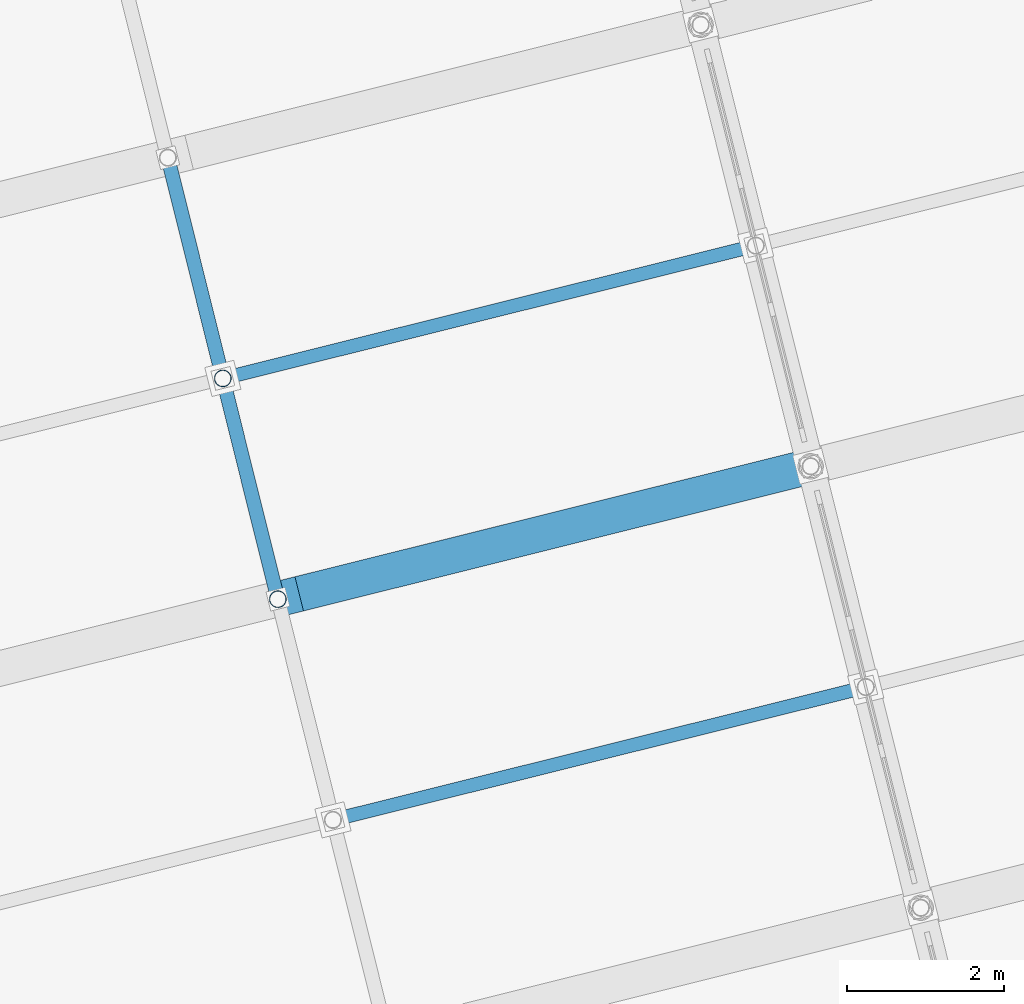
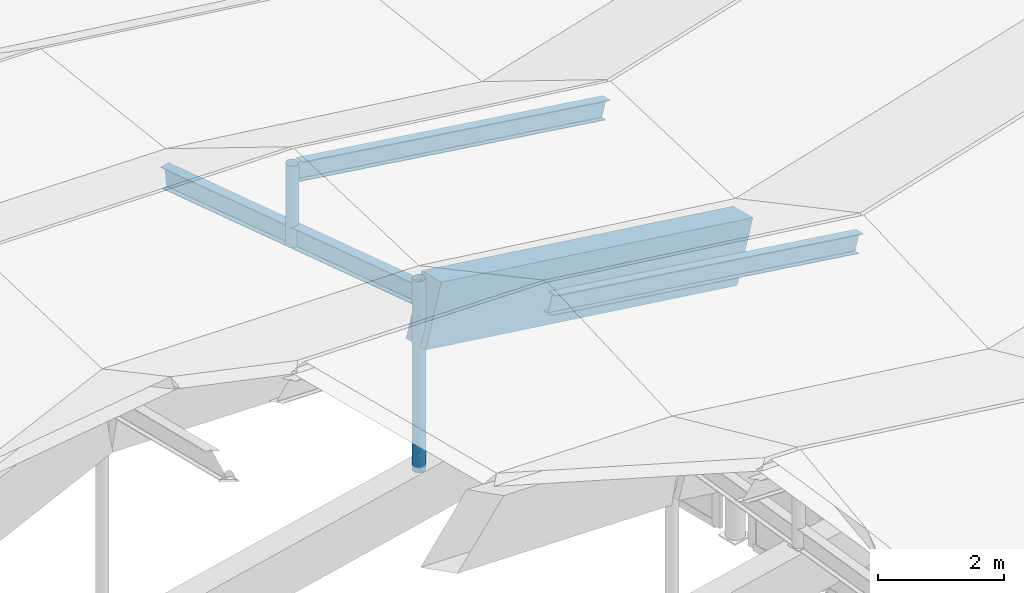
# One storey, part 24 of 65: 4 beams, 2 members.
"""IFC4 building model written with IfcOpenShell, lengths in metres."""

import ifcopenshell
import ifcopenshell.guid

model = None  # the IFC model being written
_history = None  # IfcOwnerHistory: only IFC2X3 demands one
_inside = {}  # id of a spatial element -> (the spatial element, [elements in it])
_under = {}  # id of a project, library or spatial element -> (it, [spatial elements below it])
_declared = {}  # id of a project -> (the project, [libraries it declares])
_typed = {}  # id of a type object -> (the type object, [elements of that type])
_made_of = {}  # id of a material, layer set ... -> (it, [elements and type objects made of it])


def new_model(schema):
    """Start an empty IFC model of exactly this schema.

    Asked for "IFC4X3", IfcOpenShell would pick the latest addendum, in which some entities
    have other attributes; the version numbers below select the first issue.
    IFC2X3 requires an IfcOwnerHistory on every rooted entity: one is made here for all.
    """
    global model, _history
    if schema == "IFC4X3":
        model = ifcopenshell.file(schema_version=(4, 3, 0, 0))
    else:
        model = ifcopenshell.file(schema=schema)
    _inside.clear()
    _under.clear()
    _declared.clear()
    _typed.clear()
    _made_of.clear()
    _history = None
    if model.schema == "IFC2X3":
        org = make("IfcOrganization", Name="unknown")
        user = make(
            "IfcPersonAndOrganization",
            ThePerson=make("IfcPerson", FamilyName="unknown"),
            TheOrganization=org,
        )
        app = make(
            "IfcApplication",
            ApplicationDeveloper=org,
            Version="unknown",
            ApplicationFullName="unknown",
            ApplicationIdentifier="unknown",
        )
        _history = make(
            "IfcOwnerHistory",
            OwningUser=user,
            OwningApplication=app,
            ChangeAction="ADDED",
            CreationDate=0,
        )
    return model


def make(cls, **values):
    """One entity of the class cls with the attributes given. An attribute that is None is left unset."""
    return model.create_entity(
        cls, **{name: value for name, value in values.items() if value is not None}
    )


def rooted(cls, **values):
    """An entity with a GlobalId (a new one), such as an element, a storey or a relation."""
    return make(cls, GlobalId=ifcopenshell.guid.new(), OwnerHistory=_history, **values)


def si_unit(unit_type, name, prefix=None):
    """IfcSIUnit, for example si_unit("LENGTHUNIT", "METRE", prefix="MILLI")."""
    return make("IfcSIUnit", UnitType=unit_type, Prefix=prefix, Name=name)


def assignment(units):
    """IfcUnitAssignment: the units of a project."""
    return None if units is None else make("IfcUnitAssignment", Units=units)


def point(xyz):
    """IfcCartesianPoint."""
    return None if xyz is None else make("IfcCartesianPoint", Coordinates=xyz)


def direction(xyz):
    """IfcDirection."""
    return None if xyz is None else make("IfcDirection", DirectionRatios=xyz)


def frame(location, z_axis=None, x_axis=None):
    """IfcAxis2Placement3D, a coordinate frame: its origin and axes. An axis left out is left unset."""
    return make(
        "IfcAxis2Placement3D",
        Location=point(location),
        Axis=direction(z_axis),
        RefDirection=direction(x_axis),
    )


def frame_2d(location, x_axis=None):
    """IfcAxis2Placement2D, a coordinate frame in the plane: its origin and x axis."""
    return make(
        "IfcAxis2Placement2D", Location=point(location), RefDirection=direction(x_axis)
    )


def origin():
    """The frame at (0, 0, 0) with its axes left unset."""
    return frame((0.0, 0.0, 0.0))


def origin_2d():
    """The frame at (0, 0) in the plane with its x axis left unset."""
    return frame_2d((0.0, 0.0))


def place(relative_to, where):
    """IfcLocalPlacement: puts the frame where relative to a parent placement (None: the world)."""
    return make(
        "IfcLocalPlacement", PlacementRelTo=relative_to, RelativePlacement=where
    )


def context(
    kind, dimensions, precision=None, world=None, true_north=None, identifier=None
):
    """IfcGeometricRepresentationContext, for example the 3D "Model" context."""
    return make(
        "IfcGeometricRepresentationContext",
        ContextIdentifier=identifier,
        ContextType=kind,
        CoordinateSpaceDimension=dimensions,
        Precision=precision,
        WorldCoordinateSystem=world,
        TrueNorth=true_north,
    )


def subcontext(parent, identifier, kind, view, scale=None):
    """IfcGeometricRepresentationSubContext, for example "Body" below "Model"."""
    return make(
        "IfcGeometricRepresentationSubContext",
        ContextIdentifier=identifier,
        ContextType=kind,
        ParentContext=parent,
        TargetScale=scale,
        TargetView=view,
    )


def project(units=None, contexts=None):
    """IfcProject with its units and contexts."""
    return rooted(
        "IfcProject",
        Name="project",
        RepresentationContexts=contexts,
        UnitsInContext=assignment(units),
    )


def spatial(cls, under=None, at=None, **own):
    """A site, building, storey or space (cls), placed at a placement, below another one or the project."""
    s = rooted(cls, ObjectPlacement=at, **own)
    if under is not None:
        _under.setdefault(under.id(), (under, []))[1].append(s)
    return s


def profile(cls, at=None, kind="AREA", **sizes):
    """A parametric profile (cls). Its sizes go by their IFC names, for example OverallWidth=200.0."""
    return make(cls, ProfileType=kind, Position=at, **sizes)


def rectangle(**sizes):
    """IfcRectangleProfileDef."""
    return profile("IfcRectangleProfileDef", **sizes)


def hollow_circle(**sizes):
    """IfcCircleHollowProfileDef."""
    return profile("IfcCircleHollowProfileDef", **sizes)


def i_section(**sizes):
    """IfcIShapeProfileDef."""
    return profile("IfcIShapeProfileDef", **sizes)


def extrude(swept, where, along, depth):
    """IfcExtrudedAreaSolid: the profile swept, set in the frame where, extruded along a direction by depth."""
    return make(
        "IfcExtrudedAreaSolid",
        SweptArea=swept,
        Position=where,
        ExtrudedDirection=direction(along),
        Depth=depth,
    )


def shape(context_of_items, identifier, shape_type, items):
    """IfcShapeRepresentation: the items that make up one representation, for example the "Body"."""
    return make(
        "IfcShapeRepresentation",
        ContextOfItems=context_of_items,
        RepresentationIdentifier=identifier,
        RepresentationType=shape_type,
        Items=items,
    )


def material(Name=None, Category=None):
    """IfcMaterial."""
    return make("IfcMaterial", Name=Name, Category=Category)


def material_profile(
    of_material, cross_section, Name=None, Category=None, Priority=None
):
    """IfcMaterialProfile: a cross section and its material."""
    return make(
        "IfcMaterialProfile",
        Name=Name,
        Material=of_material,
        Profile=cross_section,
        Priority=Priority,
        Category=Category,
    )


def profile_set(profiles, Name=None, composite=None):
    """IfcMaterialProfileSet."""
    return make(
        "IfcMaterialProfileSet",
        Name=Name,
        MaterialProfiles=profiles,
        CompositeProfile=composite,
    )


def made_of(thing, what):
    """Note that an element or type object is made of a material, layer set ...; save() writes the relation."""
    if what is not None:
        _made_of.setdefault(what.id(), (what, []))[1].append(thing)
    return thing


def type_object(cls, material=None, **own):
    """A type object (cls), such as IfcWallType, which elements share."""
    return made_of(rooted(cls, **own), material)


def element(
    cls,
    number,
    at=None,
    inside=None,
    cuts=None,
    type_object=None,
    material=None,
    context=None,
    identifier="Body",
    shape_type=None,
    held_by="IfcProductDefinitionShape",
    body=None,
    shapes=None,
    **own,
):
    """One element of the class cls, such as IfcWall. Its Tag is "e" and its number.

    at: its placement. inside: the storey or other place that contains it. cuts: it is an
    opening in that element (IfcRelVoidsElement). A single representation is given by context,
    identifier, shape_type and body (its items); several are given by shapes. held_by: the class
    of the entity that holds the representations. save() writes the other relations.
    """
    e = rooted(cls, Tag="e%d" % number, ObjectPlacement=at, **own)
    if body is not None:
        shapes = [shape(context, identifier, shape_type, body)]
    if shapes is not None:
        e.Representation = make(held_by, Representations=shapes)
    if inside is not None:
        _inside.setdefault(inside.id(), (inside, []))[1].append(e)
    if cuts is not None:
        rooted(
            "IfcRelVoidsElement", RelatingBuildingElement=cuts, RelatedOpeningElement=e
        )
    if type_object is not None:
        _typed.setdefault(type_object.id(), (type_object, []))[1].append(e)
    return made_of(e, material)


def aggregate(whole, parts):
    """IfcRelAggregates: a whole, such as a stair, and the parts it consists of."""
    return rooted("IfcRelAggregates", RelatingObject=whole, RelatedObjects=parts)


def save(model, path):
    """Write the relations noted so far, then the file.

    IfcRelAggregates (storeys below a building ...), IfcRelContainedInSpatialStructure (elements
    in a storey), IfcRelDefinesByType, IfcRelAssociatesMaterial and IfcRelDeclares: one each for
    every whole, place, type object, material and project.
    """
    for whole, parts in _under.values():
        aggregate(whole, parts)
    for where, things in _inside.values():
        rooted(
            "IfcRelContainedInSpatialStructure",
            RelatedElements=things,
            RelatingStructure=where,
        )
    for kind, things in _typed.values():
        rooted("IfcRelDefinesByType", RelatedObjects=things, RelatingType=kind)
    for what, things in _made_of.values():
        rooted("IfcRelAssociatesMaterial", RelatedObjects=things, RelatingMaterial=what)
    for by, libraries in _declared.values():
        rooted("IfcRelDeclares", RelatingContext=by, RelatedDefinitions=libraries)
    model.write(path)


model = new_model("IFC4")

# Units and contexts
model_context = context("Model", 3, precision=1e-05, world=origin(), true_north=direction((0.0, 1.0)))
body_context = subcontext(model_context, "Body", "Model", "MODEL_VIEW")
ifc_project = project(units=[si_unit("LENGTHUNIT", "METRE"), si_unit("AREAUNIT", "SQUARE_METRE"), si_unit("VOLUMEUNIT", "CUBIC_METRE"), si_unit("PLANEANGLEUNIT", "RADIAN"), si_unit("MASSUNIT", "GRAM", prefix="KILO")], contexts=[model_context])

# Site, building, storey
site_placement = place(None, origin())
site = spatial("IfcSite", under=ifc_project, at=site_placement, CompositionType="ELEMENT")
building_placement = place(site_placement, origin())
building = spatial("IfcBuilding", under=site, at=building_placement, Name="Cinderway Yard Community Centre", CompositionType="ELEMENT")
storey_placement = place(building_placement, frame((0.0, 0.0, 24.300048828125)))
storey = spatial("IfcBuildingStorey", under=building, at=storey_placement, Name="RF", CompositionType="ELEMENT", Elevation=24.300048828125)

# Beams
ifc_material_1 = material(Name="Concrete C40/50", Category="concrete")
ifc_material_profile_1 = material_profile(ifc_material_1, rectangle(XDim=0.449951171875, YDim=1.199951171875, at=origin_2d()), Name="Concrete C40/50")
ifc_profile_set_1 = profile_set([ifc_material_profile_1], Name="Concrete C40/50")
beam_type_1 = type_object("IfcBeamType", Name="STR-BM-RC450X1200", PredefinedType="BEAM", material=ifc_profile_set_1)
beam_1_placement = place(storey_placement, frame((34.675048828125, 52.73291015625, -3.675048828125), z_axis=(0.928157149553, 0.231582017061, -0.29136587842), x_axis=(-0.242085706825, 0.970254868862, 0.0)))
element("IfcBeam", 1, at=beam_1_placement, inside=storey, type_object=beam_type_1, Name="Main Hall arch rib segment 05.4", PredefinedType="BEAM", context=body_context, shape_type="SweptSolid", body=[
    extrude(rectangle(XDim=0.449951171875, YDim=1.199951171875, at=origin_2d()), origin(), (0.0, 0.0, 1.0), 7.207763671875),
])
ifc_material_2 = material(Name="Steel S355", Category="steel")
ifc_material_profile_2 = material_profile(ifc_material_2, i_section(OverallWidth=0.172119140625, OverallDepth=0.35791015625, WebThickness=0.0078125, FlangeThickness=0.01318359375, FilletRadius=0.010986328125, at=origin_2d()), Name="Steel S355")
ifc_profile_set_2 = profile_set([ifc_material_profile_2], Name="Steel S355")
beam_type_2 = type_object("IfcBeamType", Name="STR-BM-W360X57", PredefinedType="JOIST", material=ifc_profile_set_2)
beam_2_placement = place(storey_placement, frame((35.376953125, 49.919921875, -2.080078125), z_axis=(0.92699315317, 0.231052656966, -0.295462964996), x_axis=(-0.241850256561, 0.970313585086, 0.0)))
element("IfcBeam", 2, at=beam_2_placement, inside=storey, type_object=beam_type_2, Name="Folded-plate ridge beam B4.5", PredefinedType="JOIST", context=body_context, shape_type="SweptSolid", body=[
    extrude(i_section(OverallWidth=0.172119140625, OverallDepth=0.35791015625, WebThickness=0.0078125, FlangeThickness=0.01318359375, FilletRadius=0.010986328125, at=origin_2d()), origin(), (0.0, 0.0, 1.0), 7.10693359375),
])
beam_3_placement = place(storey_placement, frame((33.972900390625, 55.547119140625, -2.406005859375), z_axis=(0.926981002269, 0.231118424701, -0.295449649173), x_axis=(-0.24191805497, 0.970296683844, 0.0)))
element("IfcBeam", 3, at=beam_3_placement, inside=storey, type_object=beam_type_2, Name="Folded-plate ridge beam B5.5", PredefinedType="JOIST", context=body_context, shape_type="SweptSolid", body=[
    extrude(i_section(OverallWidth=0.172119140625, OverallDepth=0.35791015625, WebThickness=0.0078125, FlangeThickness=0.01318359375, FilletRadius=0.010986328125, at=origin_2d()), origin(), (0.0, 0.0, 1.0), 7.108154296875),
])
ifc_material_profile_3 = material_profile(ifc_material_2, i_section(OverallWidth=0.178955078125, OverallDepth=0.409912109375, WebThickness=0.0087890625, FlangeThickness=0.013427734375, FilletRadius=0.011962890625, at=origin_2d()), Name="Steel S355")
ifc_profile_set_3 = profile_set([ifc_material_profile_3], Name="Steel S355")
beam_type_3 = type_object("IfcBeamType", Name="STR-BM-W410X67", PredefinedType="JOIST", material=ifc_profile_set_3)
beam_4_placement = place(storey_placement, frame((34.572998046875, 52.7080078125, -3.280029296875), z_axis=(-0.240387256299, 0.964226036576, -0.111723396829), x_axis=(-0.97030075642, -0.2419017199, 0.0)))
element("IfcBeam", 4, at=beam_4_placement, inside=storey, type_object=beam_type_3, Name="Folded-plate valley beam B5-U21", PredefinedType="JOIST", context=body_context, shape_type="SweptSolid", body=[
    extrude(i_section(OverallWidth=0.178955078125, OverallDepth=0.409912109375, WebThickness=0.0087890625, FlangeThickness=0.013427734375, FilletRadius=0.011962890625, at=origin_2d()), origin(), (0.0, 0.0, 1.0), 5.836669921875),
])

# Members
ifc_material_profile_4 = material_profile(ifc_material_2, hollow_circle(Radius=0.109619140625, WallThickness=0.010009765625, at=origin_2d()), Name="Steel S355")
ifc_profile_set_4 = profile_set([ifc_material_profile_4], Name="Steel S355")
member_type = type_object("IfcMemberType", Name="STR-MEM-STRUT-CHS219", PredefinedType="STRUT", material=ifc_profile_set_4)
member_1_placement = place(storey_placement, frame((34.572998046875, 52.7080078125, -6.705078125), z_axis=(0.0, 0.0, 1.0), x_axis=(1.0, 0.0, 0.0)))
element("IfcMember", 5, at=member_1_placement, inside=storey, type_object=member_type, Name="Arch rib web post 05-21", PredefinedType="STRUT", context=body_context, shape_type="SweptSolid", body=[
    extrude(hollow_circle(Radius=0.109619140625, WallThickness=0.010009765625, at=origin_2d()), origin(), (0.0, 0.0, 1.0), 3.7099609375),
])
member_2_placement = place(storey_placement, frame((33.87109375, 55.52197265625, -3.801025390625), z_axis=(0.0, 0.0, 1.0), x_axis=(1.0, 0.0, 0.0)))
element("IfcMember", 6, at=member_2_placement, inside=storey, type_object=member_type, Name="Folded-plate ridge kingpost B5-U21", PredefinedType="STRUT", context=body_context, shape_type="SweptSolid", body=[
    extrude(hollow_circle(Radius=0.109619140625, WallThickness=0.010009765625, at=origin_2d()), origin(), (0.0, 0.0, 1.0), 1.583984375),
])

save(model, "model.ifc")
